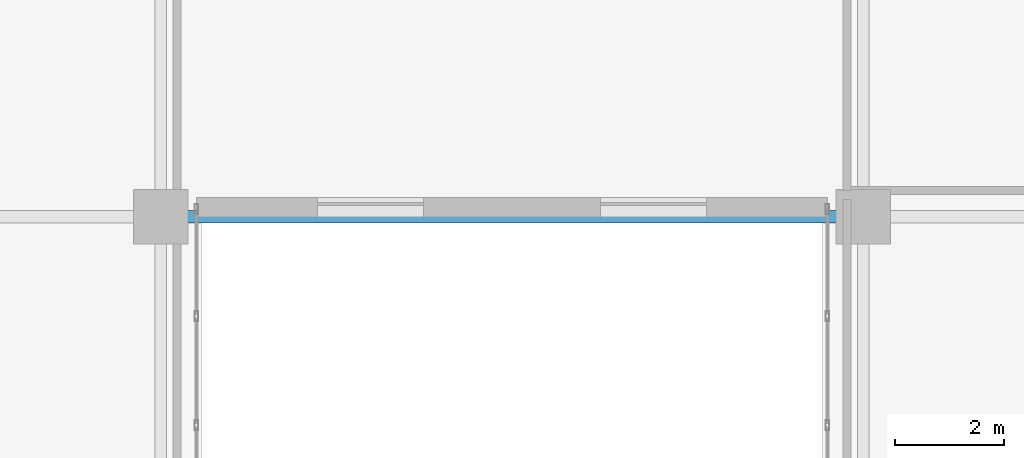
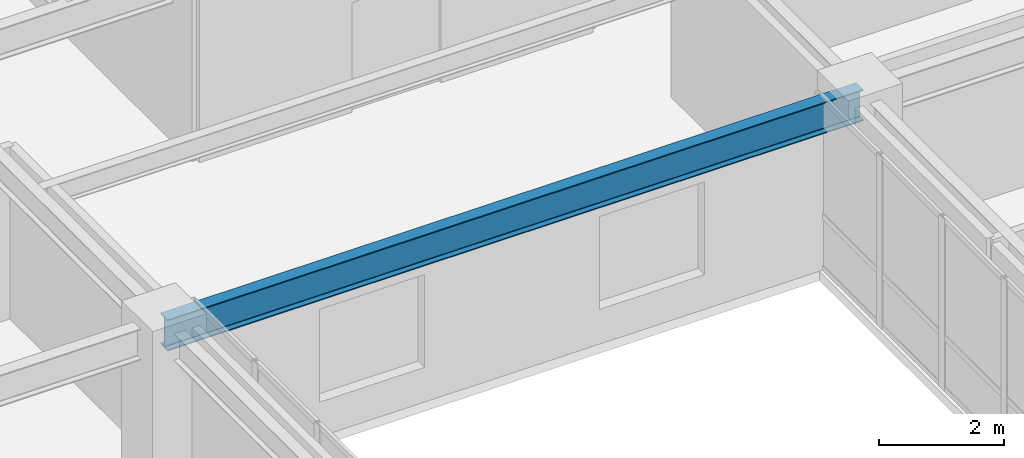
# One storey, part 8 of 30: 1 beam.
"""IFC4 building model written with IfcOpenShell, lengths in metres."""

from ifc_helpers import new_model, si_unit, direction, frame, origin, origin_2d, place, context, subcontext, project, spatial, i_section, extrude, source, transform, mapped, material, material_profile, profile_set, type_object, type_shapes, element, save


model = new_model("IFC4")

# Units and contexts
model_context = context("Model", 3, precision=1e-05, world=origin(), true_north=direction((0.0, 1.0)))
body_context = subcontext(model_context, "Body", "Model", "MODEL_VIEW")
ifc_project = project(units=[si_unit("LENGTHUNIT", "METRE"), si_unit("AREAUNIT", "SQUARE_METRE"), si_unit("VOLUMEUNIT", "CUBIC_METRE"), si_unit("PLANEANGLEUNIT", "RADIAN"), si_unit("MASSUNIT", "GRAM", prefix="KILO")], contexts=[model_context])

# Site, building, storey
site_placement = place(None, origin())
site = spatial("IfcSite", under=ifc_project, at=site_placement, CompositionType="ELEMENT")
building_placement = place(site_placement, origin())
building = spatial("IfcBuilding", under=site, at=building_placement, Name="Tolvann Quenvar Hotel", CompositionType="ELEMENT")
storey_placement = place(building_placement, frame((0.0, 0.0, 56.85009765625)))
storey = spatial("IfcBuildingStorey", under=building, at=storey_placement, Name="L13", CompositionType="ELEMENT", Elevation=56.85009765625)

# Beam
ifc_material = material(Name="Steel Grade 350", Category="steel")
ifc_material_profile = material_profile(ifc_material, i_section(OverallWidth=0.22900390625, OverallDepth=0.612060546875, WebThickness=0.011962890625, FlangeThickness=0.01953125, FilletRadius=0.013916015625, at=origin_2d()), Name="610UB125")
ifc_profile_set = profile_set([ifc_material_profile], Name="Steel Grade 350")
beam_type = type_object("IfcBeamType", Name="BM_GIRD_610UB125", PredefinedType="BEAM", material=ifc_profile_set)
shared_shape = source(origin(), body_context, "Body", "SweptSolid", [
    extrude(i_section(OverallWidth=0.22900390625, OverallDepth=0.612060546875, WebThickness=0.011962890625, FlangeThickness=0.01953125, FilletRadius=0.013916015625, at=origin_2d()), origin(), (0.0, 0.0, 1.0), 12.89990234375),
])
type_shapes(beam_type, [shared_shape])
beam_placement = place(storey_placement, frame((22.050048828125, 16.0, 3.06396484375), z_axis=(1.0, 0.0, 0.0), x_axis=(0.0, 1.0, 0.0)))
element("IfcBeam", 1, at=beam_placement, inside=storey, type_object=beam_type, Name="BM-L13-EW-4-E4-F4", PredefinedType="BEAM", context=body_context, shape_type="MappedRepresentation", body=[
    mapped(shared_shape, transform((0.0, 0.0, 0.0), x_axis=(1.0, 0.0, 0.0), y_axis=(0.0, 1.0, 0.0), z_axis=(0.0, 0.0, 1.0), scale=1.0)),
])

save(model, "model.ifc")
